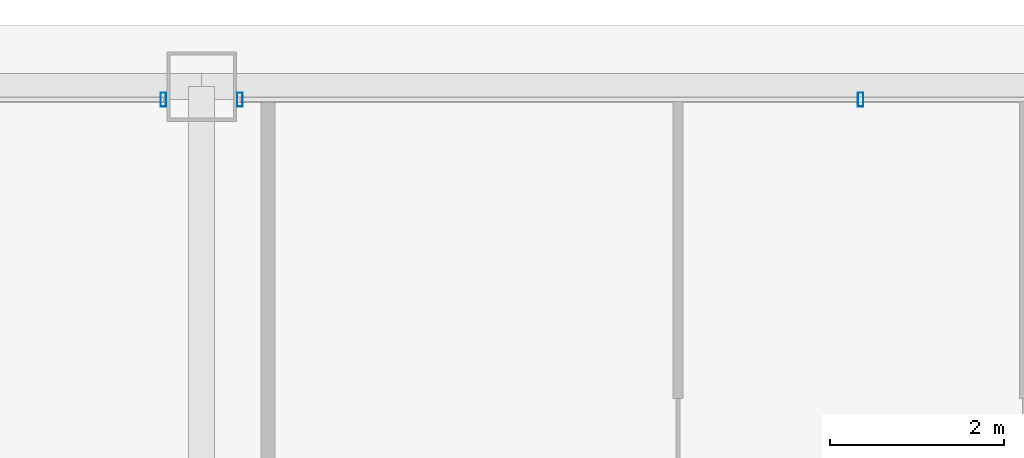
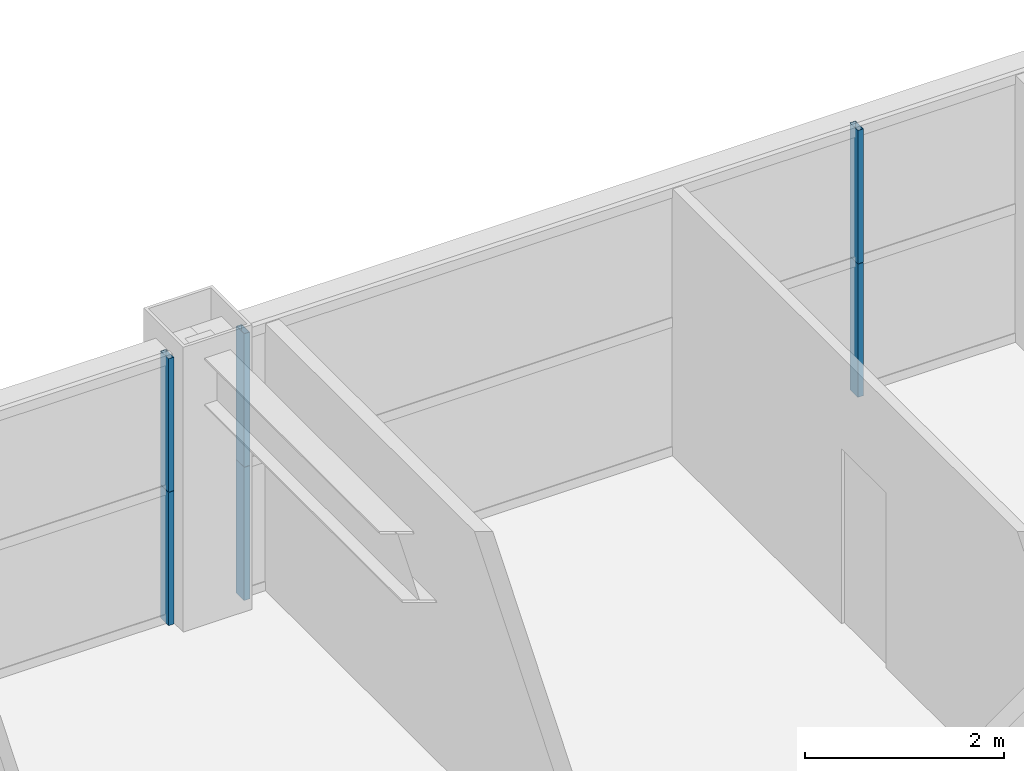
# One storey, part 36 of 45: 6 members, 2 elements without a shape of their own.
"""IFC4 building model written with IfcOpenShell, lengths in metres."""

import ifcopenshell
import ifcopenshell.guid

model = None  # the IFC model being written
_history = None  # IfcOwnerHistory: only IFC2X3 demands one
_inside = {}  # id of a spatial element -> (the spatial element, [elements in it])
_under = {}  # id of a project, library or spatial element -> (it, [spatial elements below it])
_declared = {}  # id of a project -> (the project, [libraries it declares])
_typed = {}  # id of a type object -> (the type object, [elements of that type])
_made_of = {}  # id of a material, layer set ... -> (it, [elements and type objects made of it])


def new_model(schema):
    """Start an empty IFC model of exactly this schema.

    Asked for "IFC4X3", IfcOpenShell would pick the latest addendum, in which some entities
    have other attributes; the version numbers below select the first issue.
    IFC2X3 requires an IfcOwnerHistory on every rooted entity: one is made here for all.
    """
    global model, _history
    if schema == "IFC4X3":
        model = ifcopenshell.file(schema_version=(4, 3, 0, 0))
    else:
        model = ifcopenshell.file(schema=schema)
    _inside.clear()
    _under.clear()
    _declared.clear()
    _typed.clear()
    _made_of.clear()
    _history = None
    if model.schema == "IFC2X3":
        org = make("IfcOrganization", Name="unknown")
        user = make(
            "IfcPersonAndOrganization",
            ThePerson=make("IfcPerson", FamilyName="unknown"),
            TheOrganization=org,
        )
        app = make(
            "IfcApplication",
            ApplicationDeveloper=org,
            Version="unknown",
            ApplicationFullName="unknown",
            ApplicationIdentifier="unknown",
        )
        _history = make(
            "IfcOwnerHistory",
            OwningUser=user,
            OwningApplication=app,
            ChangeAction="ADDED",
            CreationDate=0,
        )
    return model


def make(cls, **values):
    """One entity of the class cls with the attributes given. An attribute that is None is left unset."""
    return model.create_entity(
        cls, **{name: value for name, value in values.items() if value is not None}
    )


def rooted(cls, **values):
    """An entity with a GlobalId (a new one), such as an element, a storey or a relation."""
    return make(cls, GlobalId=ifcopenshell.guid.new(), OwnerHistory=_history, **values)


def si_unit(unit_type, name, prefix=None):
    """IfcSIUnit, for example si_unit("LENGTHUNIT", "METRE", prefix="MILLI")."""
    return make("IfcSIUnit", UnitType=unit_type, Prefix=prefix, Name=name)


def assignment(units):
    """IfcUnitAssignment: the units of a project."""
    return None if units is None else make("IfcUnitAssignment", Units=units)


def point(xyz):
    """IfcCartesianPoint."""
    return None if xyz is None else make("IfcCartesianPoint", Coordinates=xyz)


def direction(xyz):
    """IfcDirection."""
    return None if xyz is None else make("IfcDirection", DirectionRatios=xyz)


def frame(location, z_axis=None, x_axis=None):
    """IfcAxis2Placement3D, a coordinate frame: its origin and axes. An axis left out is left unset."""
    return make(
        "IfcAxis2Placement3D",
        Location=point(location),
        Axis=direction(z_axis),
        RefDirection=direction(x_axis),
    )


def frame_2d(location, x_axis=None):
    """IfcAxis2Placement2D, a coordinate frame in the plane: its origin and x axis."""
    return make(
        "IfcAxis2Placement2D", Location=point(location), RefDirection=direction(x_axis)
    )


def origin():
    """The frame at (0, 0, 0) with its axes left unset."""
    return frame((0.0, 0.0, 0.0))


def origin_2d():
    """The frame at (0, 0) in the plane with its x axis left unset."""
    return frame_2d((0.0, 0.0))


def place(relative_to, where):
    """IfcLocalPlacement: puts the frame where relative to a parent placement (None: the world)."""
    return make(
        "IfcLocalPlacement", PlacementRelTo=relative_to, RelativePlacement=where
    )


def context(
    kind, dimensions, precision=None, world=None, true_north=None, identifier=None
):
    """IfcGeometricRepresentationContext, for example the 3D "Model" context."""
    return make(
        "IfcGeometricRepresentationContext",
        ContextIdentifier=identifier,
        ContextType=kind,
        CoordinateSpaceDimension=dimensions,
        Precision=precision,
        WorldCoordinateSystem=world,
        TrueNorth=true_north,
    )


def subcontext(parent, identifier, kind, view, scale=None):
    """IfcGeometricRepresentationSubContext, for example "Body" below "Model"."""
    return make(
        "IfcGeometricRepresentationSubContext",
        ContextIdentifier=identifier,
        ContextType=kind,
        ParentContext=parent,
        TargetScale=scale,
        TargetView=view,
    )


def project(units=None, contexts=None):
    """IfcProject with its units and contexts."""
    return rooted(
        "IfcProject",
        Name="project",
        RepresentationContexts=contexts,
        UnitsInContext=assignment(units),
    )


def spatial(cls, under=None, at=None, **own):
    """A site, building, storey or space (cls), placed at a placement, below another one or the project."""
    s = rooted(cls, ObjectPlacement=at, **own)
    if under is not None:
        _under.setdefault(under.id(), (under, []))[1].append(s)
    return s


def profile(cls, at=None, kind="AREA", **sizes):
    """A parametric profile (cls). Its sizes go by their IFC names, for example OverallWidth=200.0."""
    return make(cls, ProfileType=kind, Position=at, **sizes)


def hollow_rectangle(**sizes):
    """IfcRectangleHollowProfileDef."""
    return profile("IfcRectangleHollowProfileDef", **sizes)


def extrude(swept, where, along, depth):
    """IfcExtrudedAreaSolid: the profile swept, set in the frame where, extruded along a direction by depth."""
    return make(
        "IfcExtrudedAreaSolid",
        SweptArea=swept,
        Position=where,
        ExtrudedDirection=direction(along),
        Depth=depth,
    )


def shape(context_of_items, identifier, shape_type, items):
    """IfcShapeRepresentation: the items that make up one representation, for example the "Body"."""
    return make(
        "IfcShapeRepresentation",
        ContextOfItems=context_of_items,
        RepresentationIdentifier=identifier,
        RepresentationType=shape_type,
        Items=items,
    )


def source(mapping_origin, context_of_items, identifier, shape_type, items):
    """IfcRepresentationMap: a shape defined once, which mapped items show again and again."""
    return make(
        "IfcRepresentationMap",
        MappingOrigin=mapping_origin,
        MappedRepresentation=shape(context_of_items, identifier, shape_type, items),
    )


def transform(
    local_origin,
    x_axis=None,
    y_axis=None,
    z_axis=None,
    scale=None,
    scale2=None,
    scale3=None,
    uniform=True,
):
    """IfcCartesianTransformationOperator3D, or its non-uniform kind. x_axis, y_axis, z_axis: its Axis1, 2, 3."""
    if uniform:
        return make(
            "IfcCartesianTransformationOperator3D",
            Axis1=direction(x_axis),
            Axis2=direction(y_axis),
            LocalOrigin=point(local_origin),
            Scale=scale,
            Axis3=direction(z_axis),
        )
    return make(
        "IfcCartesianTransformationOperator3DnonUniform",
        Axis1=direction(x_axis),
        Axis2=direction(y_axis),
        LocalOrigin=point(local_origin),
        Scale=scale,
        Axis3=direction(z_axis),
        Scale2=scale2,
        Scale3=scale3,
    )


def mapped(mapping_source, mapping_target):
    """IfcMappedItem: shows the shape of a source again, moved by a transform."""
    return make(
        "IfcMappedItem", MappingSource=mapping_source, MappingTarget=mapping_target
    )


def material(Name=None, Category=None):
    """IfcMaterial."""
    return make("IfcMaterial", Name=Name, Category=Category)


def layer(
    of_material, thickness, ventilated=None, Name=None, Category=None, Priority=None
):
    """IfcMaterialLayer: one layer of a wall or slab, of a material (None: an air gap)."""
    return make(
        "IfcMaterialLayer",
        Material=of_material,
        LayerThickness=thickness,
        IsVentilated=ventilated,
        Name=Name,
        Category=Category,
        Priority=Priority,
    )


def layer_set(layers, Name=None):
    """IfcMaterialLayerSet."""
    return make("IfcMaterialLayerSet", MaterialLayers=layers, LayerSetName=Name)


def material_profile(
    of_material, cross_section, Name=None, Category=None, Priority=None
):
    """IfcMaterialProfile: a cross section and its material."""
    return make(
        "IfcMaterialProfile",
        Name=Name,
        Material=of_material,
        Profile=cross_section,
        Priority=Priority,
        Category=Category,
    )


def profile_set(profiles, Name=None, composite=None):
    """IfcMaterialProfileSet."""
    return make(
        "IfcMaterialProfileSet",
        Name=Name,
        MaterialProfiles=profiles,
        CompositeProfile=composite,
    )


def made_of(thing, what):
    """Note that an element or type object is made of a material, layer set ...; save() writes the relation."""
    if what is not None:
        _made_of.setdefault(what.id(), (what, []))[1].append(thing)
    return thing


def type_object(cls, material=None, **own):
    """A type object (cls), such as IfcWallType, which elements share."""
    return made_of(rooted(cls, **own), material)


def element(
    cls,
    number,
    at=None,
    inside=None,
    cuts=None,
    type_object=None,
    material=None,
    context=None,
    identifier="Body",
    shape_type=None,
    held_by="IfcProductDefinitionShape",
    body=None,
    shapes=None,
    **own,
):
    """One element of the class cls, such as IfcWall. Its Tag is "e" and its number.

    at: its placement. inside: the storey or other place that contains it. cuts: it is an
    opening in that element (IfcRelVoidsElement). A single representation is given by context,
    identifier, shape_type and body (its items); several are given by shapes. held_by: the class
    of the entity that holds the representations. save() writes the other relations.
    """
    e = rooted(cls, Tag="e%d" % number, ObjectPlacement=at, **own)
    if body is not None:
        shapes = [shape(context, identifier, shape_type, body)]
    if shapes is not None:
        e.Representation = make(held_by, Representations=shapes)
    if inside is not None:
        _inside.setdefault(inside.id(), (inside, []))[1].append(e)
    if cuts is not None:
        rooted(
            "IfcRelVoidsElement", RelatingBuildingElement=cuts, RelatedOpeningElement=e
        )
    if type_object is not None:
        _typed.setdefault(type_object.id(), (type_object, []))[1].append(e)
    return made_of(e, material)


def aggregate(whole, parts):
    """IfcRelAggregates: a whole, such as a stair, and the parts it consists of."""
    return rooted("IfcRelAggregates", RelatingObject=whole, RelatedObjects=parts)


def save(model, path):
    """Write the relations noted so far, then the file.

    IfcRelAggregates (storeys below a building ...), IfcRelContainedInSpatialStructure (elements
    in a storey), IfcRelDefinesByType, IfcRelAssociatesMaterial and IfcRelDeclares: one each for
    every whole, place, type object, material and project.
    """
    for whole, parts in _under.values():
        aggregate(whole, parts)
    for where, things in _inside.values():
        rooted(
            "IfcRelContainedInSpatialStructure",
            RelatedElements=things,
            RelatingStructure=where,
        )
    for kind, things in _typed.values():
        rooted("IfcRelDefinesByType", RelatedObjects=things, RelatingType=kind)
    for what, things in _made_of.values():
        rooted("IfcRelAssociatesMaterial", RelatedObjects=things, RelatingMaterial=what)
    for by, libraries in _declared.values():
        rooted("IfcRelDeclares", RelatingContext=by, RelatedDefinitions=libraries)
    model.write(path)


model = new_model("IFC4")

# Units and contexts
model_context = context("Model", 3, precision=1e-05, world=origin(), true_north=direction((0.0, 1.0)))
body_context = subcontext(model_context, "Body", "Model", "MODEL_VIEW")
ifc_project = project(units=[si_unit("LENGTHUNIT", "METRE"), si_unit("AREAUNIT", "SQUARE_METRE"), si_unit("VOLUMEUNIT", "CUBIC_METRE"), si_unit("PLANEANGLEUNIT", "RADIAN"), si_unit("MASSUNIT", "GRAM", prefix="KILO"), si_unit("THERMODYNAMICTEMPERATUREUNIT", "KELVIN"), si_unit("POWERUNIT", "WATT")], contexts=[model_context])

# Site, building, storey
site_placement = place(None, origin())
site = spatial("IfcSite", under=ifc_project, at=site_placement, CompositionType="ELEMENT")
building_placement = place(site_placement, origin())
building = spatial("IfcBuilding", under=site, at=building_placement, Name="Yuzanri Waterfront Tower", CompositionType="ELEMENT")
storey_placement = place(building_placement, frame((0.0, 0.0, 198.5)))
storey = spatial("IfcBuildingStorey", under=building, at=storey_placement, Name="L52", CompositionType="ELEMENT", Elevation=198.5)

# Curtain wall, members
ifc_material_1 = material(Name="Anodized Architectural Bronze", Category="metal")
ifc_layer = layer(ifc_material_1, 0.159912109375)
ifc_layer_set = layer_set([ifc_layer], Name="Anodized Architectural Bronze")
curtain_wall_type = type_object("IfcCurtainWallType", Name="Anodized Bronze Mid-Rise Residential Acoustic Unitized Curtain Wall 7200", PredefinedType="NOTDEFINED", material=ifc_layer_set)
curtain_wall_1_placement = place(storey_placement, origin())
curtain_wall_1 = element("IfcCurtainWall", 1, at=curtain_wall_1_placement, inside=storey, type_object=curtain_wall_type, Name="L52 Curtain Wall CW-L52-NL", PredefinedType="NOTDEFINED")
ifc_material_2 = material(Name="Anodized Architectural Bronze", Category="metal")
ifc_material_profile = material_profile(ifc_material_2, hollow_rectangle(XDim=0.06494140625, YDim=0.159912109375, WallThickness=0.00341796875, at=origin_2d()), Name="CWM 65x160")
ifc_profile_set = profile_set([ifc_material_profile], Name="Anodized Architectural Bronze")
member_type = type_object("IfcMemberType", Name="Anodized Bronze Upper-Zone Curtain-Wall Mullion 65x160", PredefinedType="MULLION", material=ifc_profile_set)
shared_shape = source(origin(), body_context, "Body", "SweptSolid", [
    extrude(hollow_rectangle(XDim=0.06494140625, YDim=0.159912109375, WallThickness=0.00341796875, at=origin_2d()), origin(), (0.0, 0.0, 1.0), 1.637939453125),
])
member_1_placement = place(storey_placement, frame((36.56005859375, 47.75, 0.0), z_axis=(0.0, 0.0, 1.0), x_axis=(1.0, 0.0, 0.0)))
member_1 = element("IfcMember", 2, at=member_1_placement, type_object=member_type, Name="CW-L52-NL Lower Mullion 02", PredefinedType="MULLION", context=body_context, shape_type="MappedRepresentation", body=[
    mapped(shared_shape, transform((0.0, 0.0, 0.0), scale=1.0)),
])
member_2_placement = place(storey_placement, frame((36.56005859375, 47.75, 1.64208984375), z_axis=(0.0, 0.0, 1.0), x_axis=(1.0, 0.0, 0.0)))
member_2 = element("IfcMember", 3, at=member_2_placement, type_object=member_type, Name="CW-L52-NL Upper Mullion 02", PredefinedType="MULLION", context=body_context, shape_type="MappedRepresentation", body=[
    mapped(shared_shape, transform((0.0, 0.0, 0.0), scale=1.0)),
])
aggregate(curtain_wall_1, [member_1, member_2])

curtain_wall_2_placement = place(storey_placement, origin())
curtain_wall_2 = element("IfcCurtainWall", 4, at=curtain_wall_2_placement, inside=storey, type_object=curtain_wall_type, Name="L52 Curtain Wall CW-L52-NR", PredefinedType="NOTDEFINED")
member_3_placement = place(storey_placement, frame((37.43994140625, 47.75, 0.0), z_axis=(0.0, 0.0, 1.0), x_axis=(1.0, 0.0, 0.0)))
member_3 = element("IfcMember", 5, at=member_3_placement, type_object=member_type, Name="CW-L52-NR Lower Mullion 00", PredefinedType="MULLION", context=body_context, shape_type="MappedRepresentation", body=[
    mapped(shared_shape, transform((0.0, 0.0, 0.0), scale=1.0)),
])
member_4_placement = place(storey_placement, frame((37.43994140625, 47.75, 1.64208984375), z_axis=(0.0, 0.0, 1.0), x_axis=(1.0, 0.0, 0.0)))
member_4 = element("IfcMember", 6, at=member_4_placement, type_object=member_type, Name="CW-L52-NR Upper Mullion 00", PredefinedType="MULLION", context=body_context, shape_type="MappedRepresentation", body=[
    mapped(shared_shape, transform((0.0, 0.0, 0.0), scale=1.0)),
])
member_5_placement = place(storey_placement, frame((44.574951171875, 47.75, 0.0), z_axis=(0.0, 0.0, 1.0), x_axis=(1.0, 0.0, 0.0)))
member_5 = element("IfcMember", 7, at=member_5_placement, type_object=member_type, Name="CW-L52-NR Lower Mullion 01", PredefinedType="MULLION", context=body_context, shape_type="MappedRepresentation", body=[
    mapped(shared_shape, transform((0.0, 0.0, 0.0), scale=1.0)),
])
member_6_placement = place(storey_placement, frame((44.574951171875, 47.75, 1.64208984375), z_axis=(0.0, 0.0, 1.0), x_axis=(1.0, 0.0, 0.0)))
member_6 = element("IfcMember", 8, at=member_6_placement, type_object=member_type, Name="CW-L52-NR Upper Mullion 01", PredefinedType="MULLION", context=body_context, shape_type="MappedRepresentation", body=[
    mapped(shared_shape, transform((0.0, 0.0, 0.0), scale=1.0)),
])
aggregate(curtain_wall_2, [member_3, member_4, member_5, member_6])

save(model, "model.ifc")
